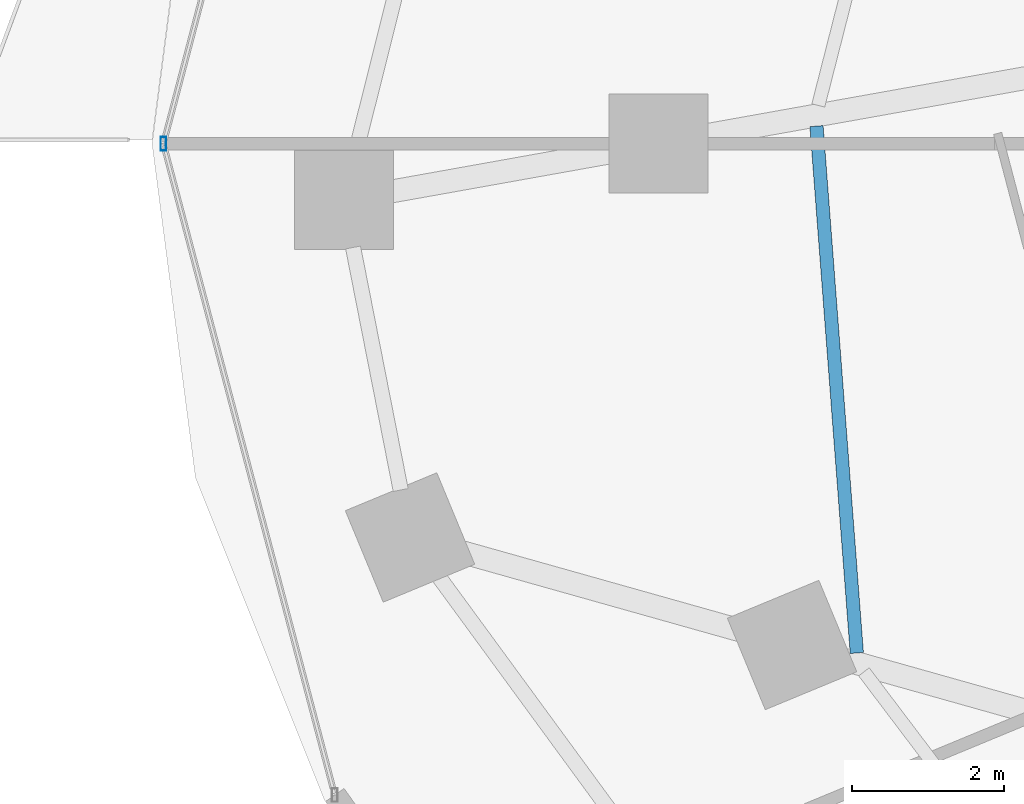
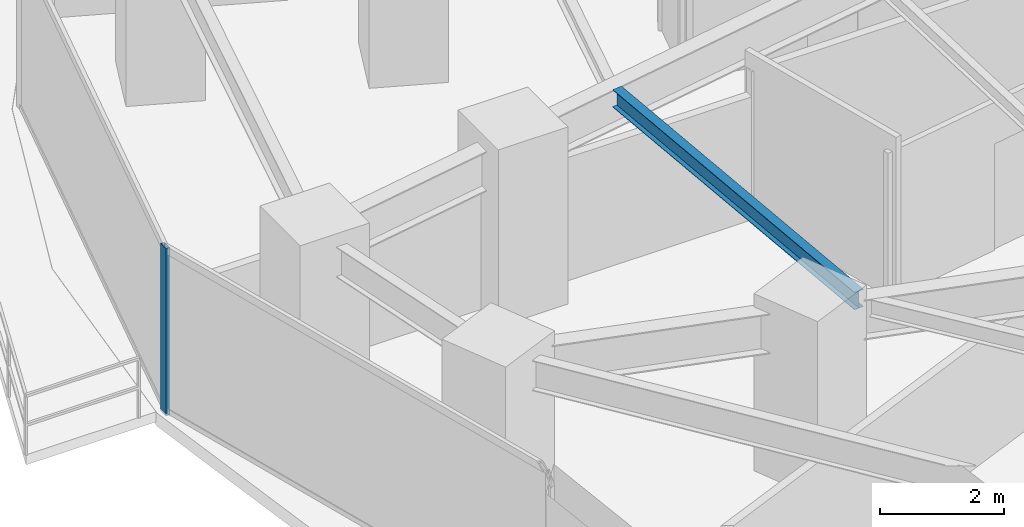
# One storey, part 8 of 34: 1 beam, 1 member, 1 element without a shape of its own.
"""IFC4 building model written with IfcOpenShell, lengths in metres."""

from ifc_helpers import new_model, si_unit, direction, frame, origin, origin_2d, place, context, subcontext, project, spatial, hollow_rectangle, i_section, extrude, material, material_profile, profile_set, type_object, element, aggregate, save


model = new_model("IFC4")

# Units and contexts
model_context = context("Model", 3, precision=1e-05, world=origin(), true_north=direction((0.0, 1.0)))
body_context = subcontext(model_context, "Body", "Model", "MODEL_VIEW")
ifc_project = project(units=[si_unit("LENGTHUNIT", "METRE"), si_unit("AREAUNIT", "SQUARE_METRE"), si_unit("VOLUMEUNIT", "CUBIC_METRE"), si_unit("PLANEANGLEUNIT", "RADIAN"), si_unit("MASSUNIT", "GRAM", prefix="KILO")], contexts=[model_context])

# Site, building, storey
site_placement = place(None, origin())
site = spatial("IfcSite", under=ifc_project, at=site_placement, CompositionType="ELEMENT")
building_placement = place(site_placement, origin())
building = spatial("IfcBuilding", under=site, at=building_placement, Name="Vorneva Point Tower", CompositionType="ELEMENT")
storey_placement = place(building_placement, frame((0.0, 0.0, 31.0)))
storey = spatial("IfcBuildingStorey", under=building, at=storey_placement, Name="L07", CompositionType="ELEMENT", Elevation=31.0)

# Beam
ifc_material_1 = material(Name="Steel S355", Category="steel")
ifc_material_profile_1 = material_profile(ifc_material_1, i_section(OverallWidth=0.174072265625, OverallDepth=0.345947265625, WebThickness=0.006103515625, FlangeThickness=0.009033203125, at=origin_2d()), Name="35B1")
ifc_profile_set_1 = profile_set([ifc_material_profile_1], Name="Steel S355")
beam_type = type_object("IfcBeamType", Name="BM-SEC-35B1", PredefinedType="BEAM", material=ifc_profile_set_1)
beam_placement = place(storey_placement, frame((17.025390625, 26.231689453125, 3.06689453125), z_axis=(0.076314434711, -0.99708380142, 0.0), x_axis=(0.99708380142, 0.076314434711, 0.0)))
element("IfcBeam", 1, at=beam_placement, inside=storey, type_object=beam_type, Name="L07 Secondary Floor Beam 1.09", PredefinedType="BEAM", context=body_context, shape_type="SweptSolid", body=[
    extrude(i_section(OverallWidth=0.174072265625, OverallDepth=0.345947265625, WebThickness=0.006103515625, FlangeThickness=0.009033203125, at=origin_2d()), origin(), (0.0, 0.0, 1.0), 6.93896484375),
])

# Curtain wall, member
ifc_material_2 = material(Name="Pale anodised aluminium", Category="aluminium")
curtain_wall_type = type_object("IfcCurtainWallType", Name="CW-HTL-SYS", PredefinedType="NOTDEFINED", material=ifc_material_2)
curtain_wall_placement = place(storey_placement, origin())
curtain_wall = element("IfcCurtainWall", 2, at=curtain_wall_placement, inside=storey, type_object=curtain_wall_type, Name="L07 Unitised Curtain Wall CW-L07-R03", PredefinedType="NOTDEFINED")
ifc_material_profile_2 = material_profile(ifc_material_2, hollow_rectangle(XDim=0.074951171875, YDim=0.179931640625, WallThickness=0.00390625, at=origin_2d()), Name="AL-MUL 180x75x4")
ifc_profile_set_2 = profile_set([ifc_material_profile_2], Name="Pale anodised aluminium")
member_type = type_object("IfcMemberType", Name="CW-MUL-180", PredefinedType="MULLION", material=ifc_profile_set_2)
member_placement = place(storey_placement, frame((8.449951171875, 26.0, -0.0400390625), z_axis=(0.0, 0.0, 1.0), x_axis=(1.0, 0.0, 0.0)))
member = element("IfcMember", 3, at=member_placement, type_object=member_type, Name="CW-L07-R03 Mullion 03", PredefinedType="MULLION", context=body_context, shape_type="SweptSolid", body=[
    extrude(hollow_rectangle(XDim=0.074951171875, YDim=0.179931640625, WallThickness=0.00390625, at=origin_2d()), origin(), (0.0, 0.0, 1.0), 3.31005859375),
])
aggregate(curtain_wall, [member])

save(model, "model.ifc")
